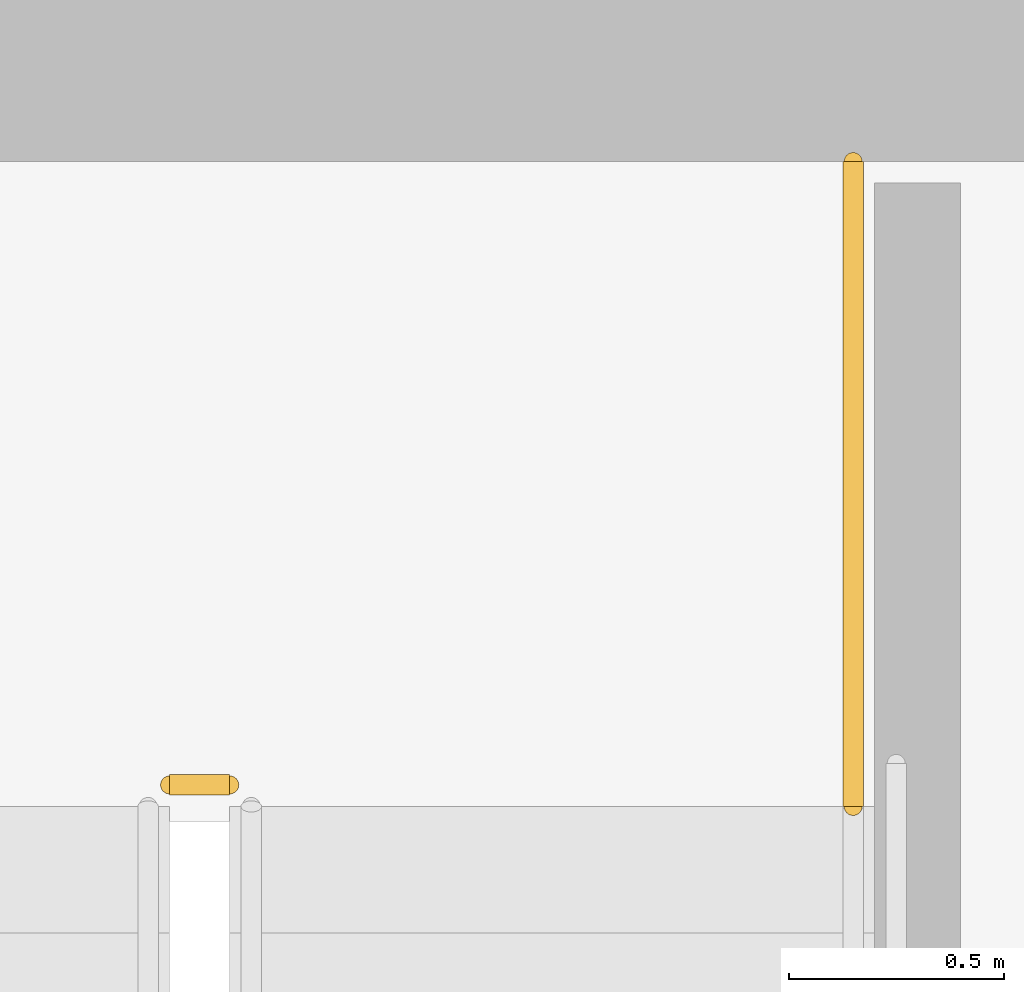
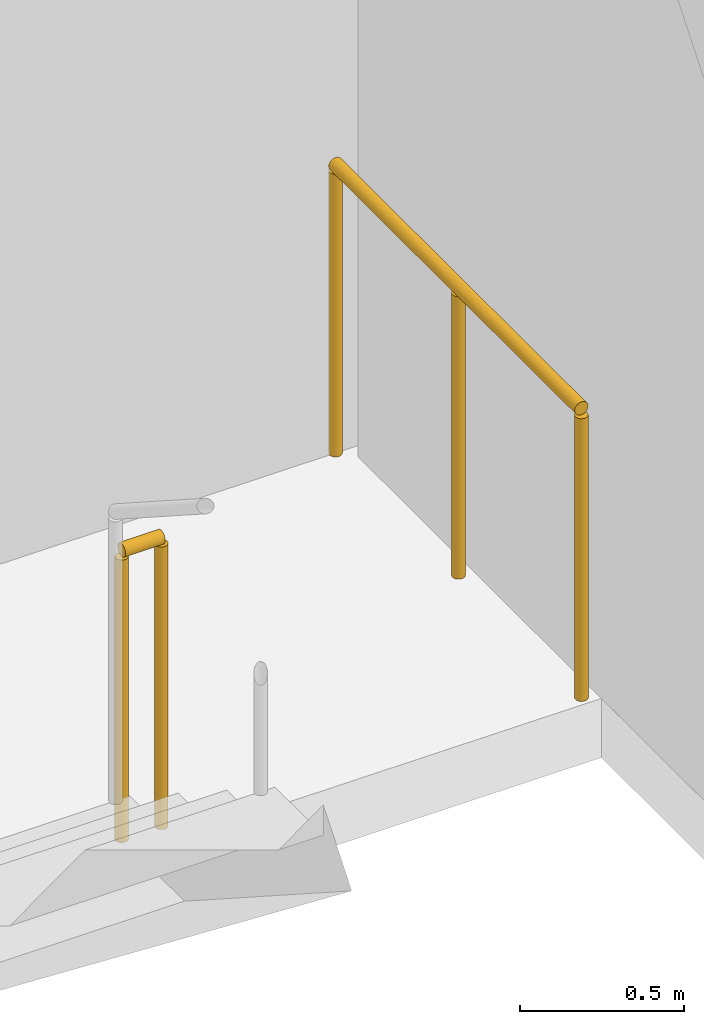
# One storey, part 32 of 32: 2 railings.
"""IFC4 building model written with IfcOpenShell, lengths in metres."""

from ifc_helpers import new_model, si_unit, direction, frame, origin, origin_2d, place, context, subcontext, project, spatial, circle, extrude, material, layer, layer_set, type_object, element, save


model = new_model("IFC4")

# Units and contexts
model_context = context("Model", 3, precision=1e-05, world=origin(), true_north=direction((0.0, 1.0)))
body_context = subcontext(model_context, "Body", "Model", "MODEL_VIEW")
ifc_project = project(units=[si_unit("LENGTHUNIT", "METRE"), si_unit("AREAUNIT", "SQUARE_METRE"), si_unit("VOLUMEUNIT", "CUBIC_METRE"), si_unit("PLANEANGLEUNIT", "RADIAN"), si_unit("MASSUNIT", "GRAM", prefix="KILO")], contexts=[model_context])

# Site, building, storey
site_placement = place(None, origin())
site = spatial("IfcSite", under=ifc_project, at=site_placement, CompositionType="ELEMENT")
building_placement = place(site_placement, origin())
building = spatial("IfcBuilding", under=site, at=building_placement, Name="Ndaravel Arena Tower", CompositionType="ELEMENT")
storey_placement = place(building_placement, frame((0.0, 0.0, 51.199951171875)))
storey = spatial("IfcBuildingStorey", under=building, at=storey_placement, Name="L10", CompositionType="ELEMENT", Elevation=51.199951171875)

# Railings
ifc_material = material(Name="Steel S355", Category="steel")
ifc_layer = layer(ifc_material, 0.06005859375)
ifc_layer_set = layer_set([ifc_layer], Name="Steel S355")
railing_type = type_object("IfcRailingType", Name="RAIL-STAIR-GD1100", PredefinedType="GUARDRAIL", material=ifc_layer_set)
railing_1_placement = place(storey_placement, frame((55.10009765625, 13.300048828125, 0.0)))
element("IfcRailing", 1, at=railing_1_placement, inside=storey, type_object=railing_type, Name="L10 ST-3 stair guard 4", PredefinedType="GUARDRAIL", context=body_context, shape_type="SweptSolid", body=[
    extrude(circle(Radius=0.02392578125, at=origin_2d()), frame((0.0, 0.0, 1.076171875), z_axis=(1.0, 0.0, 0.0), x_axis=(0.0, 1.0, 0.0)), (0.0, 0.0, 1.0), 0.139892578125),
    extrude(circle(Radius=0.02099609375, at=origin_2d()), origin(), (0.0, 0.0, 1.0), 1.052001953125),
    extrude(circle(Radius=0.02099609375, at=origin_2d()), frame((0.139892578125, 0.0, 0.0)), (0.0, 0.0, 1.0), 1.052001953125),
])
railing_2_placement = place(storey_placement, frame((56.68994140625, 14.75, 0.0)))
element("IfcRailing", 2, at=railing_2_placement, inside=storey, type_object=railing_type, Name="L10 ST-3 stair guard 5", PredefinedType="GUARDRAIL", context=body_context, shape_type="SweptSolid", body=[
    extrude(circle(Radius=0.02392578125, at=origin_2d()), frame((0.0, 0.0, 1.076171875), z_axis=(0.0, -1.0, 0.0), x_axis=(1.0, 0.0, 0.0)), (0.0, 0.0, 1.0), 1.5),
    extrude(circle(Radius=0.02099609375, at=origin_2d()), origin(), (0.0, 0.0, 1.0), 1.052001953125),
    extrude(circle(Radius=0.02099609375, at=origin_2d()), frame((0.0, -0.75, 0.0)), (0.0, 0.0, 1.0), 1.052001953125),
    extrude(circle(Radius=0.02099609375, at=origin_2d()), frame((0.0, -1.5, 0.0)), (0.0, 0.0, 1.0), 1.052001953125),
])

save(model, "model.ifc")
